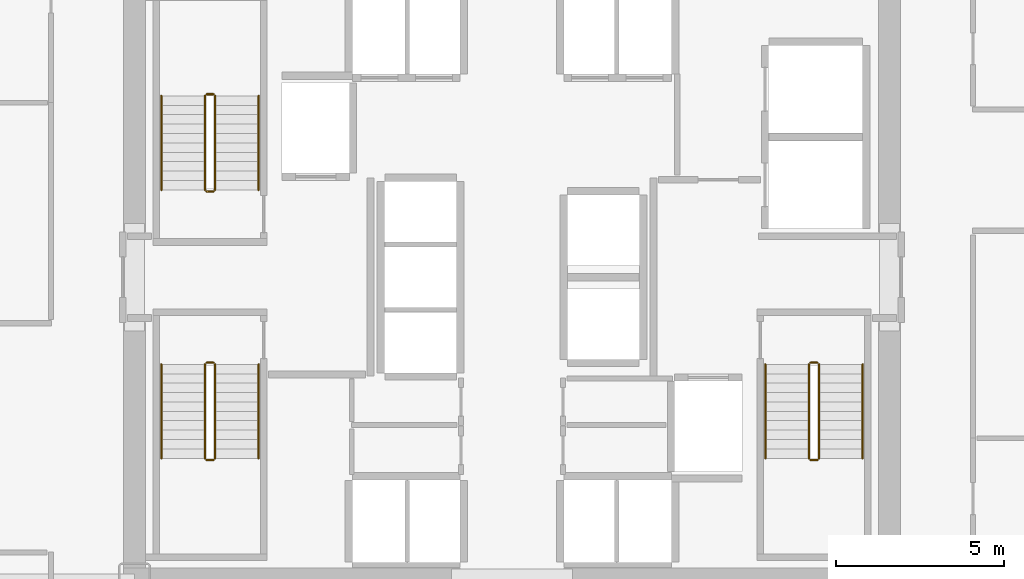
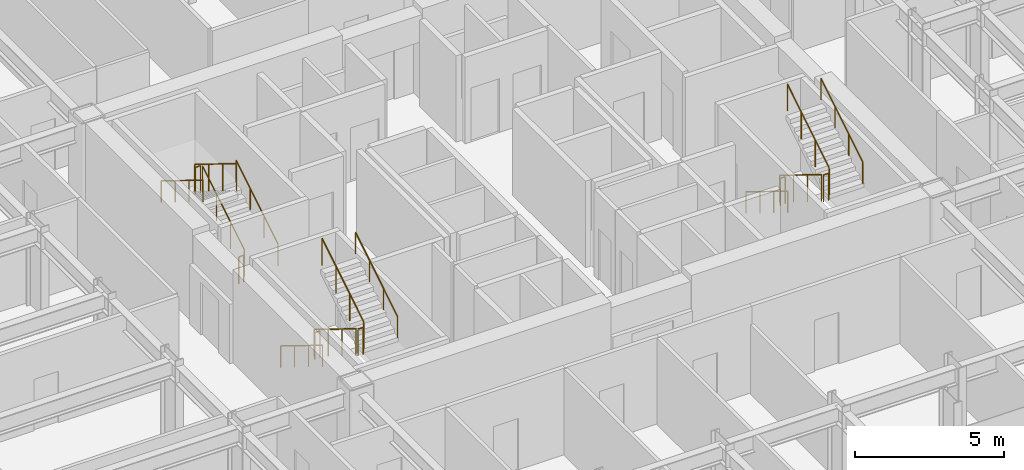
# One storey, part 26 of 26: 18 railings.
"""IFC4 building model written with IfcOpenShell, lengths in metres."""

import ifcopenshell
import ifcopenshell.guid

model = None  # the IFC model being written
_history = None  # IfcOwnerHistory: only IFC2X3 demands one
_inside = {}  # id of a spatial element -> (the spatial element, [elements in it])
_under = {}  # id of a project, library or spatial element -> (it, [spatial elements below it])
_declared = {}  # id of a project -> (the project, [libraries it declares])
_typed = {}  # id of a type object -> (the type object, [elements of that type])
_made_of = {}  # id of a material, layer set ... -> (it, [elements and type objects made of it])


def new_model(schema):
    """Start an empty IFC model of exactly this schema.

    Asked for "IFC4X3", IfcOpenShell would pick the latest addendum, in which some entities
    have other attributes; the version numbers below select the first issue.
    IFC2X3 requires an IfcOwnerHistory on every rooted entity: one is made here for all.
    """
    global model, _history
    if schema == "IFC4X3":
        model = ifcopenshell.file(schema_version=(4, 3, 0, 0))
    else:
        model = ifcopenshell.file(schema=schema)
    _inside.clear()
    _under.clear()
    _declared.clear()
    _typed.clear()
    _made_of.clear()
    _history = None
    if model.schema == "IFC2X3":
        org = make("IfcOrganization", Name="unknown")
        user = make(
            "IfcPersonAndOrganization",
            ThePerson=make("IfcPerson", FamilyName="unknown"),
            TheOrganization=org,
        )
        app = make(
            "IfcApplication",
            ApplicationDeveloper=org,
            Version="unknown",
            ApplicationFullName="unknown",
            ApplicationIdentifier="unknown",
        )
        _history = make(
            "IfcOwnerHistory",
            OwningUser=user,
            OwningApplication=app,
            ChangeAction="ADDED",
            CreationDate=0,
        )
    return model


def make(cls, **values):
    """One entity of the class cls with the attributes given. An attribute that is None is left unset."""
    return model.create_entity(
        cls, **{name: value for name, value in values.items() if value is not None}
    )


def rooted(cls, **values):
    """An entity with a GlobalId (a new one), such as an element, a storey or a relation."""
    return make(cls, GlobalId=ifcopenshell.guid.new(), OwnerHistory=_history, **values)


def si_unit(unit_type, name, prefix=None):
    """IfcSIUnit, for example si_unit("LENGTHUNIT", "METRE", prefix="MILLI")."""
    return make("IfcSIUnit", UnitType=unit_type, Prefix=prefix, Name=name)


def assignment(units):
    """IfcUnitAssignment: the units of a project."""
    return None if units is None else make("IfcUnitAssignment", Units=units)


def point(xyz):
    """IfcCartesianPoint."""
    return None if xyz is None else make("IfcCartesianPoint", Coordinates=xyz)


def direction(xyz):
    """IfcDirection."""
    return None if xyz is None else make("IfcDirection", DirectionRatios=xyz)


def frame(location, z_axis=None, x_axis=None):
    """IfcAxis2Placement3D, a coordinate frame: its origin and axes. An axis left out is left unset."""
    return make(
        "IfcAxis2Placement3D",
        Location=point(location),
        Axis=direction(z_axis),
        RefDirection=direction(x_axis),
    )


def frame_2d(location, x_axis=None):
    """IfcAxis2Placement2D, a coordinate frame in the plane: its origin and x axis."""
    return make(
        "IfcAxis2Placement2D", Location=point(location), RefDirection=direction(x_axis)
    )


def origin():
    """The frame at (0, 0, 0) with its axes left unset."""
    return frame((0.0, 0.0, 0.0))


def origin_2d():
    """The frame at (0, 0) in the plane with its x axis left unset."""
    return frame_2d((0.0, 0.0))


def place(relative_to, where):
    """IfcLocalPlacement: puts the frame where relative to a parent placement (None: the world)."""
    return make(
        "IfcLocalPlacement", PlacementRelTo=relative_to, RelativePlacement=where
    )


def context(
    kind, dimensions, precision=None, world=None, true_north=None, identifier=None
):
    """IfcGeometricRepresentationContext, for example the 3D "Model" context."""
    return make(
        "IfcGeometricRepresentationContext",
        ContextIdentifier=identifier,
        ContextType=kind,
        CoordinateSpaceDimension=dimensions,
        Precision=precision,
        WorldCoordinateSystem=world,
        TrueNorth=true_north,
    )


def subcontext(parent, identifier, kind, view, scale=None):
    """IfcGeometricRepresentationSubContext, for example "Body" below "Model"."""
    return make(
        "IfcGeometricRepresentationSubContext",
        ContextIdentifier=identifier,
        ContextType=kind,
        ParentContext=parent,
        TargetScale=scale,
        TargetView=view,
    )


def project(units=None, contexts=None):
    """IfcProject with its units and contexts."""
    return rooted(
        "IfcProject",
        Name="project",
        RepresentationContexts=contexts,
        UnitsInContext=assignment(units),
    )


def spatial(cls, under=None, at=None, **own):
    """A site, building, storey or space (cls), placed at a placement, below another one or the project."""
    s = rooted(cls, ObjectPlacement=at, **own)
    if under is not None:
        _under.setdefault(under.id(), (under, []))[1].append(s)
    return s


def profile(cls, at=None, kind="AREA", **sizes):
    """A parametric profile (cls). Its sizes go by their IFC names, for example OverallWidth=200.0."""
    return make(cls, ProfileType=kind, Position=at, **sizes)


def circle(**sizes):
    """IfcCircleProfileDef."""
    return profile("IfcCircleProfileDef", **sizes)


def extrude(swept, where, along, depth):
    """IfcExtrudedAreaSolid: the profile swept, set in the frame where, extruded along a direction by depth."""
    return make(
        "IfcExtrudedAreaSolid",
        SweptArea=swept,
        Position=where,
        ExtrudedDirection=direction(along),
        Depth=depth,
    )


def shape(context_of_items, identifier, shape_type, items):
    """IfcShapeRepresentation: the items that make up one representation, for example the "Body"."""
    return make(
        "IfcShapeRepresentation",
        ContextOfItems=context_of_items,
        RepresentationIdentifier=identifier,
        RepresentationType=shape_type,
        Items=items,
    )


def material(Name=None, Category=None):
    """IfcMaterial."""
    return make("IfcMaterial", Name=Name, Category=Category)


def made_of(thing, what):
    """Note that an element or type object is made of a material, layer set ...; save() writes the relation."""
    if what is not None:
        _made_of.setdefault(what.id(), (what, []))[1].append(thing)
    return thing


def type_object(cls, material=None, **own):
    """A type object (cls), such as IfcWallType, which elements share."""
    return made_of(rooted(cls, **own), material)


def element(
    cls,
    number,
    at=None,
    inside=None,
    cuts=None,
    type_object=None,
    material=None,
    context=None,
    identifier="Body",
    shape_type=None,
    held_by="IfcProductDefinitionShape",
    body=None,
    shapes=None,
    **own,
):
    """One element of the class cls, such as IfcWall. Its Tag is "e" and its number.

    at: its placement. inside: the storey or other place that contains it. cuts: it is an
    opening in that element (IfcRelVoidsElement). A single representation is given by context,
    identifier, shape_type and body (its items); several are given by shapes. held_by: the class
    of the entity that holds the representations. save() writes the other relations.
    """
    e = rooted(cls, Tag="e%d" % number, ObjectPlacement=at, **own)
    if body is not None:
        shapes = [shape(context, identifier, shape_type, body)]
    if shapes is not None:
        e.Representation = make(held_by, Representations=shapes)
    if inside is not None:
        _inside.setdefault(inside.id(), (inside, []))[1].append(e)
    if cuts is not None:
        rooted(
            "IfcRelVoidsElement", RelatingBuildingElement=cuts, RelatedOpeningElement=e
        )
    if type_object is not None:
        _typed.setdefault(type_object.id(), (type_object, []))[1].append(e)
    return made_of(e, material)


def aggregate(whole, parts):
    """IfcRelAggregates: a whole, such as a stair, and the parts it consists of."""
    return rooted("IfcRelAggregates", RelatingObject=whole, RelatedObjects=parts)


def save(model, path):
    """Write the relations noted so far, then the file.

    IfcRelAggregates (storeys below a building ...), IfcRelContainedInSpatialStructure (elements
    in a storey), IfcRelDefinesByType, IfcRelAssociatesMaterial and IfcRelDeclares: one each for
    every whole, place, type object, material and project.
    """
    for whole, parts in _under.values():
        aggregate(whole, parts)
    for where, things in _inside.values():
        rooted(
            "IfcRelContainedInSpatialStructure",
            RelatedElements=things,
            RelatingStructure=where,
        )
    for kind, things in _typed.values():
        rooted("IfcRelDefinesByType", RelatedObjects=things, RelatingType=kind)
    for what, things in _made_of.values():
        rooted("IfcRelAssociatesMaterial", RelatedObjects=things, RelatingMaterial=what)
    for by, libraries in _declared.values():
        rooted("IfcRelDeclares", RelatingContext=by, RelatedDefinitions=libraries)
    model.write(path)


model = new_model("IFC4")

# Units and contexts
model_context = context("Model", 3, precision=1e-05, world=origin(), true_north=direction((0.0, 1.0)))
body_context = subcontext(model_context, "Body", "Model", "MODEL_VIEW")
ifc_project = project(units=[si_unit("LENGTHUNIT", "METRE"), si_unit("AREAUNIT", "SQUARE_METRE"), si_unit("VOLUMEUNIT", "CUBIC_METRE"), si_unit("PLANEANGLEUNIT", "RADIAN"), si_unit("MASSUNIT", "GRAM", prefix="KILO")], contexts=[model_context])

# Site, building, storey
site_placement = place(None, origin())
site = spatial("IfcSite", under=ifc_project, at=site_placement, CompositionType="ELEMENT")
building_placement = place(site_placement, origin())
building = spatial("IfcBuilding", under=site, at=building_placement, Name="Nefas-Gora Pilgrimage Tower", CompositionType="ELEMENT")
storey_placement = place(building_placement, frame((0.0, 0.0, 40.60009765625)))
storey = spatial("IfcBuildingStorey", under=building, at=storey_placement, Name="L08", CompositionType="ELEMENT", Elevation=40.60009765625)

# Railings
ifc_material_1 = material(Name="Painted galvanised steel", Category="steel")
railing_type_1 = type_object("IfcRailingType", Name="RLG-STR-GUARD-1100", PredefinedType="GUARDRAIL", material=ifc_material_1)
railing_1_placement = place(storey_placement, frame((-8.85009765625, 2.60009765625, 0.172607421875)))
element("IfcRailing", 1, at=railing_1_placement, inside=storey, type_object=railing_type_1, Name="L08 ST-01 stair guard 1", PredefinedType="GUARDRAIL", context=body_context, shape_type="SweptSolid", body=[
    extrude(circle(Radius=0.02392578125, at=origin_2d()), frame((0.0, 0.0, 1.09619140625), z_axis=(0.0, 0.851069175582, 0.525053576669), x_axis=(-1.0, 0.0, 0.0)), (0.0, 0.0, 1.0), 3.289794921875),
    extrude(circle(Radius=0.02099609375, at=origin_2d()), origin(), (0.0, 0.0, 1.0), 1.072021484375),
    extrude(circle(Radius=0.02099609375, at=origin_2d()), frame((0.0, 0.933349609375, 0.57568359375)), (0.0, 0.0, 1.0), 1.072021484375),
    extrude(circle(Radius=0.02099609375, at=origin_2d()), frame((0.0, 1.866455078125, 1.151611328125)), (0.0, 0.0, 1.0), 1.072021484375),
    extrude(circle(Radius=0.02099609375, at=origin_2d()), frame((0.0, 2.7998046875, 1.727294921875)), (0.0, 0.0, 1.0), 1.072021484375),
])
railing_2_placement = place(storey_placement, frame((-8.89990234375, 5.449951171875, 1.89990234375)))
element("IfcRailing", 2, at=railing_2_placement, inside=storey, type_object=railing_type_1, Name="L08 ST-01 stair guard 2", PredefinedType="GUARDRAIL", context=body_context, shape_type="SweptSolid", body=[
    extrude(circle(Radius=0.02392578125, at=origin_2d()), frame((0.0, 0.0, 1.09619140625), z_axis=(-1.0, 0.0, 0.0), x_axis=(0.0, -1.0, 0.0)), (0.0, 0.0, 1.0), 0.2001953125),
    extrude(circle(Radius=0.02099609375, at=origin_2d()), origin(), (0.0, 0.0, 1.0), 1.072021484375),
    extrude(circle(Radius=0.02099609375, at=origin_2d()), frame((-0.2001953125, 0.0, 0.0)), (0.0, 0.0, 1.0), 1.072021484375),
])
railing_3_placement = place(storey_placement, frame((-9.14990234375, 5.39990234375, 2.072509765625)))
element("IfcRailing", 3, at=railing_3_placement, inside=storey, type_object=railing_type_1, Name="L08 ST-01 stair guard 3", PredefinedType="GUARDRAIL", context=body_context, shape_type="SweptSolid", body=[
    extrude(circle(Radius=0.02392578125, at=origin_2d()), frame((0.0, 0.0, 1.09619140625), z_axis=(0.0, -0.851069175582, 0.525053576669), x_axis=(1.0, 0.0, 0.0)), (0.0, 0.0, 1.0), 3.289794921875),
    extrude(circle(Radius=0.02099609375, at=origin_2d()), origin(), (0.0, 0.0, 1.0), 1.072021484375),
    extrude(circle(Radius=0.02099609375, at=origin_2d()), frame((0.0, -0.933349609375, 0.57568359375)), (0.0, 0.0, 1.0), 1.072021484375),
    extrude(circle(Radius=0.02099609375, at=origin_2d()), frame((0.0, -1.866455078125, 1.151611328125)), (0.0, 0.0, 1.0), 1.072021484375),
    extrude(circle(Radius=0.02099609375, at=origin_2d()), frame((0.0, -2.7998046875, 1.727294921875)), (0.0, 0.0, 1.0), 1.072021484375),
])
railing_4_placement = place(storey_placement, frame((-8.89990234375, 2.550048828125, 0.0)))
element("IfcRailing", 4, at=railing_4_placement, inside=storey, type_object=railing_type_1, Name="L08 ST-01 stair guard 4", PredefinedType="GUARDRAIL", context=body_context, shape_type="SweptSolid", body=[
    extrude(circle(Radius=0.02392578125, at=origin_2d()), frame((0.0, 0.0, 1.09619140625), z_axis=(-1.0, 0.0, 0.0), x_axis=(0.0, -1.0, 0.0)), (0.0, 0.0, 1.0), 0.2001953125),
    extrude(circle(Radius=0.02099609375, at=origin_2d()), origin(), (0.0, 0.0, 1.0), 1.072021484375),
    extrude(circle(Radius=0.02099609375, at=origin_2d()), frame((-0.2001953125, 0.0, 0.0)), (0.0, 0.0, 1.0), 1.072021484375),
])
railing_5_placement = place(storey_placement, frame((8.85009765625, -2.60009765625, 0.172607421875)))
element("IfcRailing", 5, at=railing_5_placement, inside=storey, type_object=railing_type_1, Name="L08 ST-02 stair guard 1", PredefinedType="GUARDRAIL", context=body_context, shape_type="SweptSolid", body=[
    extrude(circle(Radius=0.02392578125, at=origin_2d()), frame((0.0, 0.0, 1.09619140625), z_axis=(0.0, -0.851069175582, 0.525053576669), x_axis=(1.0, 0.0, 0.0)), (0.0, 0.0, 1.0), 3.289794921875),
    extrude(circle(Radius=0.02099609375, at=origin_2d()), origin(), (0.0, 0.0, 1.0), 1.072021484375),
    extrude(circle(Radius=0.02099609375, at=origin_2d()), frame((0.0, -0.933349609375, 0.57568359375)), (0.0, 0.0, 1.0), 1.072021484375),
    extrude(circle(Radius=0.02099609375, at=origin_2d()), frame((0.0, -1.866455078125, 1.151611328125)), (0.0, 0.0, 1.0), 1.072021484375),
    extrude(circle(Radius=0.02099609375, at=origin_2d()), frame((0.0, -2.7998046875, 1.727294921875)), (0.0, 0.0, 1.0), 1.072021484375),
])
railing_6_placement = place(storey_placement, frame((8.89990234375, -5.449951171875, 1.89990234375)))
element("IfcRailing", 6, at=railing_6_placement, inside=storey, type_object=railing_type_1, Name="L08 ST-02 stair guard 2", PredefinedType="GUARDRAIL", context=body_context, shape_type="SweptSolid", body=[
    extrude(circle(Radius=0.02392578125, at=origin_2d()), frame((0.0, 0.0, 1.09619140625), z_axis=(1.0, 0.0, 0.0), x_axis=(0.0, 1.0, 0.0)), (0.0, 0.0, 1.0), 0.2001953125),
    extrude(circle(Radius=0.02099609375, at=origin_2d()), origin(), (0.0, 0.0, 1.0), 1.072021484375),
    extrude(circle(Radius=0.02099609375, at=origin_2d()), frame((0.2001953125, 0.0, 0.0)), (0.0, 0.0, 1.0), 1.072021484375),
])
railing_7_placement = place(storey_placement, frame((9.14990234375, -5.39990234375, 2.072509765625)))
element("IfcRailing", 7, at=railing_7_placement, inside=storey, type_object=railing_type_1, Name="L08 ST-02 stair guard 3", PredefinedType="GUARDRAIL", context=body_context, shape_type="SweptSolid", body=[
    extrude(circle(Radius=0.02392578125, at=origin_2d()), frame((0.0, 0.0, 1.09619140625), z_axis=(0.0, 0.851069175582, 0.525053576669), x_axis=(-1.0, 0.0, 0.0)), (0.0, 0.0, 1.0), 3.289794921875),
    extrude(circle(Radius=0.02099609375, at=origin_2d()), origin(), (0.0, 0.0, 1.0), 1.072021484375),
    extrude(circle(Radius=0.02099609375, at=origin_2d()), frame((0.0, 0.933349609375, 0.57568359375)), (0.0, 0.0, 1.0), 1.072021484375),
    extrude(circle(Radius=0.02099609375, at=origin_2d()), frame((0.0, 1.866455078125, 1.151611328125)), (0.0, 0.0, 1.0), 1.072021484375),
    extrude(circle(Radius=0.02099609375, at=origin_2d()), frame((0.0, 2.7998046875, 1.727294921875)), (0.0, 0.0, 1.0), 1.072021484375),
])
railing_8_placement = place(storey_placement, frame((8.89990234375, -2.550048828125, 0.0)))
element("IfcRailing", 8, at=railing_8_placement, inside=storey, type_object=railing_type_1, Name="L08 ST-02 stair guard 4", PredefinedType="GUARDRAIL", context=body_context, shape_type="SweptSolid", body=[
    extrude(circle(Radius=0.02392578125, at=origin_2d()), frame((0.0, 0.0, 1.09619140625), z_axis=(1.0, 0.0, 0.0), x_axis=(0.0, 1.0, 0.0)), (0.0, 0.0, 1.0), 0.2001953125),
    extrude(circle(Radius=0.02099609375, at=origin_2d()), origin(), (0.0, 0.0, 1.0), 1.072021484375),
    extrude(circle(Radius=0.02099609375, at=origin_2d()), frame((0.2001953125, 0.0, 0.0)), (0.0, 0.0, 1.0), 1.072021484375),
])
railing_9_placement = place(storey_placement, frame((-9.14990234375, -2.60009765625, 0.172607421875)))
element("IfcRailing", 9, at=railing_9_placement, inside=storey, type_object=railing_type_1, Name="L08 ST-03 stair guard 1", PredefinedType="GUARDRAIL", context=body_context, shape_type="SweptSolid", body=[
    extrude(circle(Radius=0.02392578125, at=origin_2d()), frame((0.0, 0.0, 1.09619140625), z_axis=(0.0, -0.851069175582, 0.525053576669), x_axis=(1.0, 0.0, 0.0)), (0.0, 0.0, 1.0), 3.289794921875),
    extrude(circle(Radius=0.02099609375, at=origin_2d()), origin(), (0.0, 0.0, 1.0), 1.072021484375),
    extrude(circle(Radius=0.02099609375, at=origin_2d()), frame((0.0, -0.933349609375, 0.57568359375)), (0.0, 0.0, 1.0), 1.072021484375),
    extrude(circle(Radius=0.02099609375, at=origin_2d()), frame((0.0, -1.866455078125, 1.151611328125)), (0.0, 0.0, 1.0), 1.072021484375),
    extrude(circle(Radius=0.02099609375, at=origin_2d()), frame((0.0, -2.7998046875, 1.727294921875)), (0.0, 0.0, 1.0), 1.072021484375),
])
railing_10_placement = place(storey_placement, frame((-9.10009765625, -5.449951171875, 1.89990234375)))
element("IfcRailing", 10, at=railing_10_placement, inside=storey, type_object=railing_type_1, Name="L08 ST-03 stair guard 2", PredefinedType="GUARDRAIL", context=body_context, shape_type="SweptSolid", body=[
    extrude(circle(Radius=0.02392578125, at=origin_2d()), frame((0.0, 0.0, 1.09619140625), z_axis=(1.0, 0.0, 0.0), x_axis=(0.0, 1.0, 0.0)), (0.0, 0.0, 1.0), 0.2001953125),
    extrude(circle(Radius=0.02099609375, at=origin_2d()), origin(), (0.0, 0.0, 1.0), 1.072021484375),
    extrude(circle(Radius=0.02099609375, at=origin_2d()), frame((0.2001953125, 0.0, 0.0)), (0.0, 0.0, 1.0), 1.072021484375),
])
railing_11_placement = place(storey_placement, frame((-8.85009765625, -5.39990234375, 2.072509765625)))
element("IfcRailing", 11, at=railing_11_placement, inside=storey, type_object=railing_type_1, Name="L08 ST-03 stair guard 3", PredefinedType="GUARDRAIL", context=body_context, shape_type="SweptSolid", body=[
    extrude(circle(Radius=0.02392578125, at=origin_2d()), frame((0.0, 0.0, 1.09619140625), z_axis=(0.0, 0.851069175582, 0.525053576669), x_axis=(-1.0, 0.0, 0.0)), (0.0, 0.0, 1.0), 3.289794921875),
    extrude(circle(Radius=0.02099609375, at=origin_2d()), origin(), (0.0, 0.0, 1.0), 1.072021484375),
    extrude(circle(Radius=0.02099609375, at=origin_2d()), frame((0.0, 0.933349609375, 0.57568359375)), (0.0, 0.0, 1.0), 1.072021484375),
    extrude(circle(Radius=0.02099609375, at=origin_2d()), frame((0.0, 1.866455078125, 1.151611328125)), (0.0, 0.0, 1.0), 1.072021484375),
    extrude(circle(Radius=0.02099609375, at=origin_2d()), frame((0.0, 2.7998046875, 1.727294921875)), (0.0, 0.0, 1.0), 1.072021484375),
])
railing_12_placement = place(storey_placement, frame((-9.10009765625, -2.550048828125, 0.0)))
element("IfcRailing", 12, at=railing_12_placement, inside=storey, type_object=railing_type_1, Name="L08 ST-03 stair guard 4", PredefinedType="GUARDRAIL", context=body_context, shape_type="SweptSolid", body=[
    extrude(circle(Radius=0.02392578125, at=origin_2d()), frame((0.0, 0.0, 1.09619140625), z_axis=(1.0, 0.0, 0.0), x_axis=(0.0, 1.0, 0.0)), (0.0, 0.0, 1.0), 0.2001953125),
    extrude(circle(Radius=0.02099609375, at=origin_2d()), origin(), (0.0, 0.0, 1.0), 1.072021484375),
    extrude(circle(Radius=0.02099609375, at=origin_2d()), frame((0.2001953125, 0.0, 0.0)), (0.0, 0.0, 1.0), 1.072021484375),
])
ifc_material_2 = material(Name="Brushed stainless steel", Category="steel")
railing_type_2 = type_object("IfcRailingType", Name="RLG-STR-HAND-900", PredefinedType="HANDRAIL", material=ifc_material_2)
railing_13_placement = place(storey_placement, frame((-7.550048828125, 2.60009765625, 0.172607421875)))
element("IfcRailing", 13, at=railing_13_placement, inside=storey, type_object=railing_type_2, Name="L08 ST-01 stair handrail 1", PredefinedType="HANDRAIL", context=body_context, shape_type="SweptSolid", body=[
    extrude(circle(Radius=0.02392578125, at=origin_2d()), frame((0.0, 0.0, 0.8759765625), z_axis=(0.0, 0.851069175582, 0.525053576669), x_axis=(-1.0, 0.0, 0.0)), (0.0, 0.0, 1.0), 3.289794921875),
    extrude(circle(Radius=0.02099609375, at=origin_2d()), origin(), (0.0, 0.0, 1.0), 0.851806640625),
    extrude(circle(Radius=0.02099609375, at=origin_2d()), frame((0.0, 0.933349609375, 0.57568359375)), (0.0, 0.0, 1.0), 0.851806640625),
    extrude(circle(Radius=0.02099609375, at=origin_2d()), frame((0.0, 1.866455078125, 1.151611328125)), (0.0, 0.0, 1.0), 0.851806640625),
    extrude(circle(Radius=0.02099609375, at=origin_2d()), frame((0.0, 2.7998046875, 1.727294921875)), (0.0, 0.0, 1.0), 0.851806640625),
])
for number, where, name in (
    (14, (-10.449951171875, 5.39990234375, 2.072509765625), "L08 ST-01 stair handrail 2"),
    (15, (7.550048828125, -2.60009765625, 0.172607421875), "L08 ST-02 stair handrail 1"),
):
    element("IfcRailing", number, at=place(storey_placement, frame(where)), inside=storey, type_object=railing_type_2, Name=name, PredefinedType="HANDRAIL", context=body_context, shape_type="SweptSolid", body=[
        extrude(circle(Radius=0.02392578125, at=origin_2d()), frame((0.0, 0.0, 0.8759765625), z_axis=(0.0, -0.851069175582, 0.525053576669), x_axis=(1.0, 0.0, 0.0)), (0.0, 0.0, 1.0), 3.289794921875),
        extrude(circle(Radius=0.02099609375, at=origin_2d()), origin(), (0.0, 0.0, 1.0), 0.851806640625),
        extrude(circle(Radius=0.02099609375, at=origin_2d()), frame((0.0, -0.933349609375, 0.57568359375)), (0.0, 0.0, 1.0), 0.851806640625),
        extrude(circle(Radius=0.02099609375, at=origin_2d()), frame((0.0, -1.866455078125, 1.151611328125)), (0.0, 0.0, 1.0), 0.851806640625),
        extrude(circle(Radius=0.02099609375, at=origin_2d()), frame((0.0, -2.7998046875, 1.727294921875)), (0.0, 0.0, 1.0), 0.851806640625),
    ])
railing_14_placement = place(storey_placement, frame((10.449951171875, -5.39990234375, 2.072509765625)))
element("IfcRailing", 16, at=railing_14_placement, inside=storey, type_object=railing_type_2, Name="L08 ST-02 stair handrail 2", PredefinedType="HANDRAIL", context=body_context, shape_type="SweptSolid", body=[
    extrude(circle(Radius=0.02392578125, at=origin_2d()), frame((0.0, 0.0, 0.8759765625), z_axis=(0.0, 0.851069175582, 0.525053576669), x_axis=(-1.0, 0.0, 0.0)), (0.0, 0.0, 1.0), 3.289794921875),
    extrude(circle(Radius=0.02099609375, at=origin_2d()), origin(), (0.0, 0.0, 1.0), 0.851806640625),
    extrude(circle(Radius=0.02099609375, at=origin_2d()), frame((0.0, 0.933349609375, 0.57568359375)), (0.0, 0.0, 1.0), 0.851806640625),
    extrude(circle(Radius=0.02099609375, at=origin_2d()), frame((0.0, 1.866455078125, 1.151611328125)), (0.0, 0.0, 1.0), 0.851806640625),
    extrude(circle(Radius=0.02099609375, at=origin_2d()), frame((0.0, 2.7998046875, 1.727294921875)), (0.0, 0.0, 1.0), 0.851806640625),
])
railing_15_placement = place(storey_placement, frame((-10.449951171875, -2.60009765625, 0.172607421875)))
element("IfcRailing", 17, at=railing_15_placement, inside=storey, type_object=railing_type_2, Name="L08 ST-03 stair handrail 1", PredefinedType="HANDRAIL", context=body_context, shape_type="SweptSolid", body=[
    extrude(circle(Radius=0.02392578125, at=origin_2d()), frame((0.0, 0.0, 0.8759765625), z_axis=(0.0, -0.851069175582, 0.525053576669), x_axis=(1.0, 0.0, 0.0)), (0.0, 0.0, 1.0), 3.289794921875),
    extrude(circle(Radius=0.02099609375, at=origin_2d()), origin(), (0.0, 0.0, 1.0), 0.851806640625),
    extrude(circle(Radius=0.02099609375, at=origin_2d()), frame((0.0, -0.933349609375, 0.57568359375)), (0.0, 0.0, 1.0), 0.851806640625),
    extrude(circle(Radius=0.02099609375, at=origin_2d()), frame((0.0, -1.866455078125, 1.151611328125)), (0.0, 0.0, 1.0), 0.851806640625),
    extrude(circle(Radius=0.02099609375, at=origin_2d()), frame((0.0, -2.7998046875, 1.727294921875)), (0.0, 0.0, 1.0), 0.851806640625),
])
railing_16_placement = place(storey_placement, frame((-7.550048828125, -5.39990234375, 2.072509765625)))
element("IfcRailing", 18, at=railing_16_placement, inside=storey, type_object=railing_type_2, Name="L08 ST-03 stair handrail 2", PredefinedType="HANDRAIL", context=body_context, shape_type="SweptSolid", body=[
    extrude(circle(Radius=0.02392578125, at=origin_2d()), frame((0.0, 0.0, 0.8759765625), z_axis=(0.0, 0.851069175582, 0.525053576669), x_axis=(-1.0, 0.0, 0.0)), (0.0, 0.0, 1.0), 3.289794921875),
    extrude(circle(Radius=0.02099609375, at=origin_2d()), origin(), (0.0, 0.0, 1.0), 0.851806640625),
    extrude(circle(Radius=0.02099609375, at=origin_2d()), frame((0.0, 0.933349609375, 0.57568359375)), (0.0, 0.0, 1.0), 0.851806640625),
    extrude(circle(Radius=0.02099609375, at=origin_2d()), frame((0.0, 1.866455078125, 1.151611328125)), (0.0, 0.0, 1.0), 0.851806640625),
    extrude(circle(Radius=0.02099609375, at=origin_2d()), frame((0.0, 2.7998046875, 1.727294921875)), (0.0, 0.0, 1.0), 0.851806640625),
])

save(model, "model.ifc")
